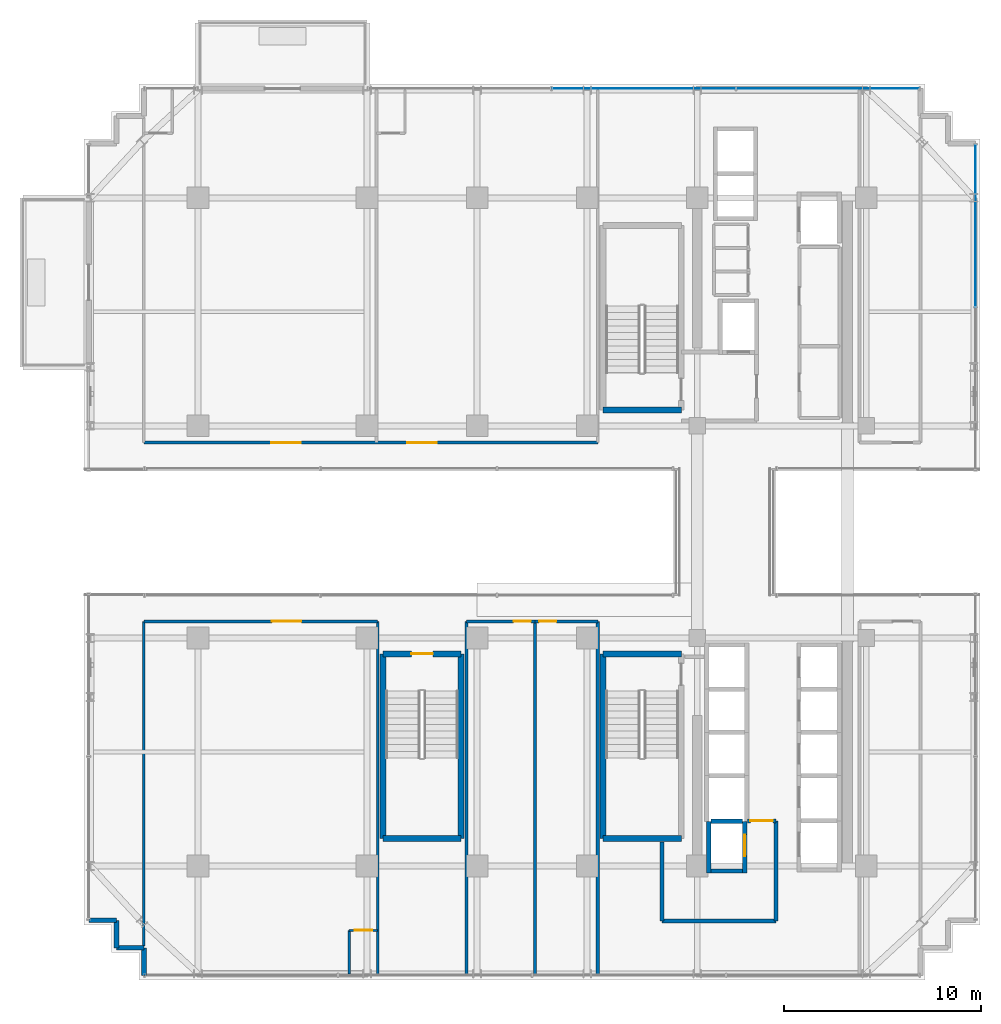
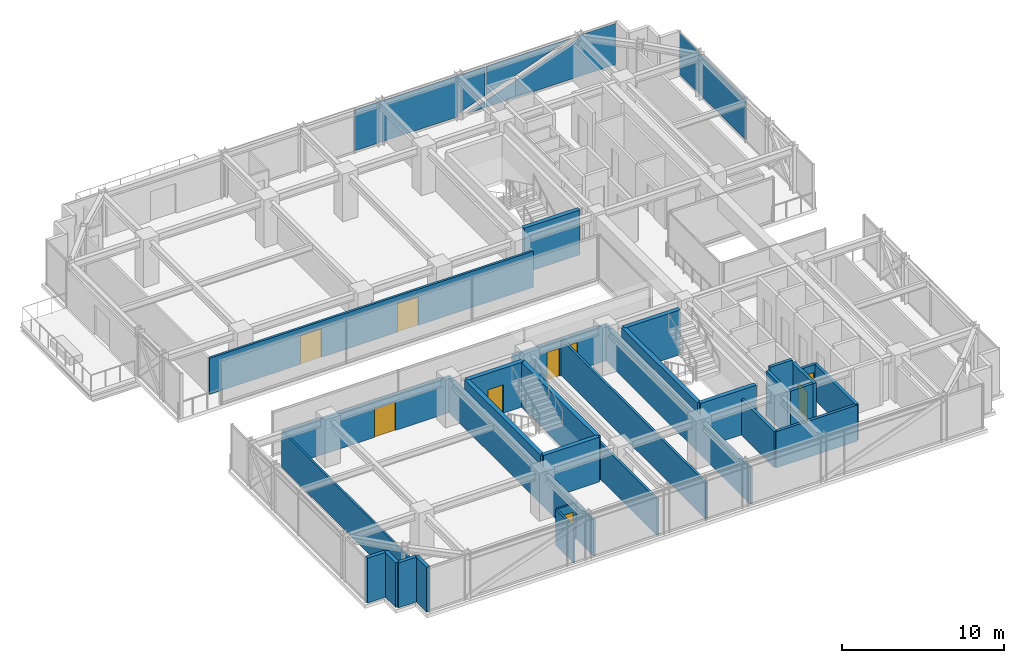
# One storey, part 30 of 37: 31 walls, 9 doors, 3 plates, 9 openings, 2 elements without a shape of their own.
"""IFC4 building model written with IfcOpenShell, lengths in metres."""

from ifc_helpers import new_model, si_unit, direction, frame, frame_2d, origin, origin_2d, place, context, subcontext, project, spatial, polyline, rectangle, outline, extrude, source, transform, mapped, material, layer, layer_set, type_object, element, fill, aggregate, save


model = new_model("IFC4")

# Units and contexts
model_context = context("Model", 3, precision=1e-05, world=origin(), true_north=direction((0.0, 1.0)))
body_context = subcontext(model_context, "Body", "Model", "MODEL_VIEW")
ifc_project = project(units=[si_unit("LENGTHUNIT", "METRE"), si_unit("AREAUNIT", "SQUARE_METRE"), si_unit("VOLUMEUNIT", "CUBIC_METRE"), si_unit("PLANEANGLEUNIT", "RADIAN"), si_unit("MASSUNIT", "GRAM", prefix="KILO")], contexts=[model_context])

# Site, building, storey
site_placement = place(None, origin())
site = spatial("IfcSite", under=ifc_project, at=site_placement, CompositionType="ELEMENT")
building_placement = place(site_placement, origin())
building = spatial("IfcBuilding", under=site, at=building_placement, Name="Nahalor Promenade Grand Hotel", CompositionType="ELEMENT")
storey_placement = place(building_placement, frame((0.0, 0.0, 167.25)))
storey = spatial("IfcBuildingStorey", under=building, at=storey_placement, Name="L42", CompositionType="ELEMENT", Elevation=167.25)

# Curtain wall, plates
ifc_material_1 = material(Name="Anodised Bronze Aluminium EN AW-6063 T6", Category="aluminium")
curtain_wall_type = type_object("IfcCurtainWallType", Name="CW3 Elliptical-Void Collar Unitised Curtain Wall", PredefinedType="USERDEFINED", material=ifc_material_1)
curtain_wall_1_placement = place(storey_placement, origin())
curtain_wall_1 = element("IfcCurtainWall", 1, at=curtain_wall_1_placement, inside=storey, type_object=curtain_wall_type, Name="L42 Curtain Wall CW-L42-N-3", ObjectType="UNITISED_CURTAIN_WALL", PredefinedType="USERDEFINED")
ifc_material_2 = material(Name="Low-E Laminated Solar Glass", Category="glass")
ifc_layer_1 = layer(ifc_material_2, 0.030029296875)
ifc_layer_set_1 = layer_set([ifc_layer_1], Name="Low-E Laminated Solar Glass")
plate_type = type_object("IfcPlateType", Name="CWP3 High-Wind Laminated Bronze IGU 30mm", PredefinedType="CURTAIN_PANEL", material=ifc_layer_set_1)
plate_1_placement = place(storey_placement, frame((5.679931640625, 22.56005859375, 0.14013671875), z_axis=(0.0, 0.0, 1.0), x_axis=(1.0, 0.0, 0.0)))
plate_1 = element("IfcPlate", 2, at=plate_1_placement, type_object=plate_type, Name="CW-L42-N-3 Glazing Panel 1-0", PredefinedType="CURTAIN_PANEL", context=body_context, shape_type="SweptSolid", body=[
    extrude(outline(polyline([(-4.658447265625, 3.110107421875), (-4.658447265625, 0.0), (2.697021484375, 0.0), (2.62890625, 0.189697265625), (4.658447265625, 0.9189453125), (4.658447265625, 3.110107421875), (-4.658447265625, 3.110107421875)])), frame((0.0, 0.01513671875, 0.0), z_axis=(0.0, -1.0, 0.0), x_axis=(1.0, 0.0, 0.0)), (0.0, 0.0, 1.0), 0.030029296875),
    extrude(outline(polyline([(3.28369140625, 0.0), (4.658447265625, 0.0), (4.658447265625, 0.493896484375), (3.28369140625, 0.0)])), frame((0.0, 0.01513671875, 0.0), z_axis=(0.0, -1.0, 0.0), x_axis=(1.0, 0.0, 0.0)), (0.0, 0.0, 1.0), 0.030029296875),
])
plate_2_placement = place(storey_placement, frame((15.049072265625, 22.56005859375, 0.14013671875), z_axis=(0.0, 0.0, 1.0), x_axis=(1.0, 0.0, 0.0)))
plate_2 = element("IfcPlate", 3, at=plate_2_placement, type_object=plate_type, Name="CW-L42-N-3 Glazing Panel 2-0", PredefinedType="CURTAIN_PANEL", context=body_context, shape_type="SweptSolid", body=[
    extrude(outline(polyline([(4.640869140625, 0.0), (4.640869140625, 3.110107421875), (1.973876953125, 3.110107421875), (2.0419921875, 2.920166015625), (-4.640869140625, 0.51904296875), (-4.640869140625, 0.0), (4.640869140625, 0.0)])), frame((0.0, 0.01513671875, 0.0), z_axis=(0.0, -1.0, 0.0), x_axis=(1.0, 0.0, 0.0)), (0.0, 0.0, 1.0), 0.030029296875),
    extrude(outline(polyline([(1.38720703125, 3.110107421875), (-4.640869140625, 3.110107421875), (-4.640869140625, 0.944091796875), (1.38720703125, 3.110107421875)])), frame((0.0, 0.01513671875, 0.0), z_axis=(0.0, -1.0, 0.0), x_axis=(1.0, 0.0, 0.0)), (0.0, 0.0, 1.0), 0.030029296875),
])
aggregate(curtain_wall_1, [plate_1, plate_2])

# Curtain wall, plate
curtain_wall_2_placement = place(storey_placement, origin())
curtain_wall_2 = element("IfcCurtainWall", 4, at=curtain_wall_2_placement, inside=storey, type_object=curtain_wall_type, Name="L42 Curtain Wall CW-L42-E-2", ObjectType="UNITISED_CURTAIN_WALL", PredefinedType="USERDEFINED")
shared_shape_1 = source(origin(), body_context, "Body", "SweptSolid", [
    extrude(rectangle(XDim=8.22509765625, YDim=0.030029296875, at=origin_2d()), origin(), (0.0, 0.0, 1.0), 3.110107421875),
])
plate_3_placement = place(storey_placement, frame((22.56005859375, 15.577392578125, 0.14013671875), z_axis=(0.0, 0.0, 1.0), x_axis=(0.0, 1.0, 0.0)))
plate_3 = element("IfcPlate", 5, at=plate_3_placement, type_object=plate_type, Name="CW-L42-E-2 Glazing Panel 1-0", PredefinedType="CURTAIN_PANEL", context=body_context, shape_type="MappedRepresentation", body=[
    mapped(shared_shape_1, transform((0.0, 0.0, 0.0), scale=1.0)),
])
aggregate(curtain_wall_2, [plate_3])

# Walls
ifc_material_3 = material(Name="Concrete B-50 (C40/50)", Category="concrete")
ifc_layer_2 = layer(ifc_material_3, 0.300048828125)
ifc_layer_set_2 = layer_set([ifc_layer_2], Name="Concrete B-50 (C40/50)")
wall_type_1 = type_object("IfcWallType", Name="Wall-ShaftShear-300", PredefinedType="SHEAR", material=ifc_layer_set_2)
shared_shape_2 = source(origin(), body_context, "Body", "SweptSolid", [
    extrude(rectangle(XDim=3.97998046875, YDim=0.300048828125, at=frame_2d((1.989990234375, 0.0))), origin(), (0.0, 0.0, 1.0), 3.389892578125),
])
for number, where, z_axis, x_axis, name in (
    (6, (3.610107421875, 6.2099609375, 0.0), (0.0, 0.0, 1.0), (1.0, 0.0, 0.0), "L42 Exit Stair ST1 Shaft Wall S"),
    (7, (3.610107421875, -15.590087890625, 0.0), (0.0, 0.0, 1.0), (1.0, 0.0, 0.0), "L42 Exit Stair ST2 Shaft Wall S"),
    (8, (3.610107421875, -6.2099609375, 0.0), (0.0, 0.0, 1.0), (1.0, 0.0, 0.0), "L42 Exit Stair ST2 Shaft Wall N"),
    (9, (-7.590087890625, -15.590087890625, 0.0), (0.0, 0.0, 1.0), (1.0, 0.0, 0.0), "L42 Exit Stair ST3 Shaft Wall S"),
):
    element("IfcWall", number, at=place(storey_placement, frame(where, z_axis=z_axis, x_axis=x_axis)), inside=storey, type_object=wall_type_1, Name=name, PredefinedType="SHEAR", context=body_context, shape_type="MappedRepresentation", body=[
        mapped(shared_shape_2, transform((0.0, 0.0, 0.0), scale=1.0)),
    ])

# Wall, opening, door
wall_1_placement = place(storey_placement, frame((-7.590087890625, -6.2099609375, 0.0), z_axis=(0.0, 0.0, 1.0), x_axis=(1.0, 0.0, 0.0)))
wall_1 = element("IfcWall", 10, at=wall_1_placement, inside=storey, type_object=wall_type_1, Name="L42 Exit Stair ST3 Shaft Wall N", PredefinedType="SHEAR", context=body_context, shape_type="MappedRepresentation", body=[
    mapped(shared_shape_2, transform((0.0, 0.0, 0.0), scale=1.0)),
])
opening_1_placement = place(wall_1_placement, frame((1.43994140625, 0.0, 0.0)))
opening_1 = element("IfcOpeningElement", 11, at=opening_1_placement, cuts=wall_1, Name="Opening D-ST1", PredefinedType="OPENING", context=body_context, shape_type="SweptSolid", body=[
    extrude(rectangle(XDim=1.10009765625, YDim=2.14990234375, at=frame_2d((0.550048828125, 1.074951171875))), frame((0.0, 0.159912109375, 0.0), z_axis=(0.0, -1.0, 0.0), x_axis=(1.0, 0.0, 0.0)), (0.0, 0.0, 1.0), 0.320068359375),
])
ifc_material_4 = material(Name="Steel S355JR", Category="steel")
door_type_1 = type_object("IfcDoorType", Name="Door-StairFire-1100", OperationType="NOTDEFINED", PredefinedType="DOOR", material=ifc_material_4)
shared_shape_3 = source(origin(), body_context, "Body", "SweptSolid", [
    extrude(rectangle(XDim=1.10009765625, YDim=2.14990234375, at=frame_2d((0.550048828125, 1.074951171875))), frame((0.0, 0.02490234375, 0.0), z_axis=(0.0, -1.0, 0.0), x_axis=(1.0, 0.0, 0.0)), (0.0, 0.0, 1.0), 0.050048828125),
])
door_1_placement = place(opening_1_placement, frame((1.10009765625, 0.0, 0.0), z_axis=(0.0, 0.0, 1.0), x_axis=(-1.0, 0.0, 0.0)))
door_1 = element("IfcDoor", 12, at=door_1_placement, inside=storey, type_object=door_type_1, Name="DR-STAIR-ST3-L42", OperationType="SINGLE_SWING_LEFT", OverallHeight=2.14990234375, OverallWidth=1.10009765625, PredefinedType="DOOR", context=body_context, shape_type="MappedRepresentation", body=[
    mapped(shared_shape_3, transform((0.0, 0.0, 0.0), scale=1.0)),
])
fill(opening_1, door_1)

# Walls
shared_shape_4 = source(origin(), body_context, "Body", "SweptSolid", [
    extrude(rectangle(XDim=9.380126953125, YDim=0.300048828125, at=frame_2d((4.68994140625, 0.0))), origin(), (0.0, 0.0, 1.0), 3.389892578125),
])
for number, where, z_axis, x_axis, name in (
    (13, (3.610107421875, -15.590087890625, 0.0), (0.0, 0.0, 1.0), (0.0, 1.0, 0.0), "L42 Exit Stair ST2 Shaft Wall W"),
    (14, (-7.590087890625, -15.590087890625, 0.0), (0.0, 0.0, 1.0), (0.0, 1.0, 0.0), "L42 Exit Stair ST3 Shaft Wall W"),
    (15, (-3.610107421875, -15.590087890625, 0.0), (0.0, 0.0, 1.0), (0.0, 1.0, 0.0), "L42 Exit Stair ST3 Shaft Wall E"),
):
    element("IfcWall", number, at=place(storey_placement, frame(where, z_axis=z_axis, x_axis=x_axis)), inside=storey, type_object=wall_type_1, Name=name, PredefinedType="SHEAR", context=body_context, shape_type="MappedRepresentation", body=[
        mapped(shared_shape_4, transform((0.0, 0.0, 0.0), scale=1.0)),
    ])
ifc_layer_3 = layer(ifc_material_3, 0.219970703125)
ifc_layer_set_3 = layer_set([ifc_layer_3], Name="Concrete B-50 (C40/50)")
wall_type_2 = type_object("IfcWallType", Name="Wall-LiftShaft-220", PredefinedType="SHEAR", material=ifc_layer_set_3)
shared_shape_5 = source(origin(), body_context, "Body", "SweptSolid", [
    extrude(rectangle(XDim=1.619873046875, YDim=0.219970703125, at=frame_2d((0.81005859375, 0.0))), origin(), (0.0, 0.0, 1.0), 3.64990234375),
])
wall_2_placement = place(storey_placement, frame((9.090087890625, -14.72509765625, 0.0), z_axis=(0.0, 0.0, 1.0), x_axis=(1.0, 0.0, 0.0)))
element("IfcWall", 16, at=wall_2_placement, inside=storey, type_object=wall_type_2, Name="L42 Lift FL2 Hoistway Wall N", PredefinedType="SHEAR", context=body_context, shape_type="MappedRepresentation", body=[
    mapped(shared_shape_5, transform((0.0, 0.0, 0.0), scale=1.0)),
])
shared_shape_6 = source(origin(), body_context, "Body", "SweptSolid", [
    extrude(rectangle(XDim=2.635009765625, YDim=0.219970703125, at=frame_2d((1.3173828125, 0.0))), origin(), (0.0, 0.0, 1.0), 3.389892578125),
])
wall_3_placement = place(storey_placement, frame((8.97998046875, -17.360107421875, 0.0), z_axis=(0.0, 0.0, 1.0), x_axis=(0.0, 1.0, 0.0)))
element("IfcWall", 17, at=wall_3_placement, inside=storey, type_object=wall_type_2, Name="L42 Lift FL2 Hoistway Wall W", PredefinedType="SHEAR", context=body_context, shape_type="MappedRepresentation", body=[
    mapped(shared_shape_6, transform((0.0, 0.0, 0.0), scale=1.0)),
])

# Wall, opening, door
wall_4_placement = place(storey_placement, frame((10.820068359375, -17.360107421875, 0.0), z_axis=(0.0, 0.0, 1.0), x_axis=(0.0, 1.0, 0.0)))
wall_4 = element("IfcWall", 18, at=wall_4_placement, inside=storey, type_object=wall_type_2, Name="L42 Lift FL2 Hoistway Wall E", PredefinedType="SHEAR", context=body_context, shape_type="MappedRepresentation", body=[
    mapped(shared_shape_6, transform((0.0, 0.0, 0.0), scale=1.0)),
])
opening_2_placement = place(wall_4_placement, frame((0.860107421875, 0.0, 0.0)))
opening_2 = element("IfcOpeningElement", 19, at=opening_2_placement, cuts=wall_4, Name="Opening LD-02", PredefinedType="OPENING", context=body_context, shape_type="SweptSolid", body=[
    extrude(rectangle(XDim=1.10009765625, YDim=2.199951171875, at=frame_2d((0.550048828125, 1.10009765625))), frame((0.0, 0.119873046875, 0.0), z_axis=(0.0, -1.0, 0.0), x_axis=(1.0, 0.0, 0.0)), (0.0, 0.0, 1.0), 0.239990234375),
])
door_type_2 = type_object("IfcDoorType", Name="Door-LiftFF-1100", OperationType="DOUBLE_DOOR_SLIDING", PredefinedType="DOOR", material=ifc_material_4)
shared_shape_7 = source(origin(), body_context, "Body", "SweptSolid", [
    extrude(rectangle(XDim=1.10009765625, YDim=2.199951171875, at=frame_2d((0.550048828125, 1.10009765625))), frame((0.0, 0.02490234375, 0.0), z_axis=(0.0, -1.0, 0.0), x_axis=(1.0, 0.0, 0.0)), (0.0, 0.0, 1.0), 0.050048828125),
])
door_2_placement = place(opening_2_placement, frame((1.10009765625, 0.0, 0.0), z_axis=(0.0, 0.0, 1.0), x_axis=(-1.0, 0.0, 0.0)))
door_2 = element("IfcDoor", 20, at=door_2_placement, inside=storey, type_object=door_type_2, Name="DR-LIFT-FL2-L42", OperationType="DOUBLE_DOOR_SLIDING", OverallHeight=2.199951171875, OverallWidth=1.10009765625, PredefinedType="DOOR", context=body_context, shape_type="MappedRepresentation", body=[
    mapped(shared_shape_7, transform((0.0, 0.0, 0.0), scale=1.0)),
])
fill(opening_2, door_2)

# Walls
shared_shape_8 = source(origin(), body_context, "Body", "SweptSolid", [
    extrude(rectangle(XDim=1.619873046875, YDim=0.219970703125, at=frame_2d((0.81005859375, 0.0))), origin(), (0.0, 0.0, 1.0), 3.389892578125),
])
wall_5_placement = place(storey_placement, frame((9.090087890625, -17.25, 0.0), z_axis=(0.0, 0.0, 1.0), x_axis=(1.0, 0.0, 0.0)))
element("IfcWall", 21, at=wall_5_placement, inside=storey, type_object=wall_type_2, Name="L42 Lift FL2 Hoistway Wall S", PredefinedType="SHEAR", context=body_context, shape_type="MappedRepresentation", body=[
    mapped(shared_shape_8, transform((0.0, 0.0, 0.0), scale=1.0)),
])
ifc_material_5 = material(Name="Concrete B-40 (C32/40)", Category="concrete")
ifc_layer_4 = layer(ifc_material_5, 0.25)
ifc_layer_set_4 = layer_set([ifc_layer_4], Name="Concrete B-40 (C32/40)")
wall_type_3 = type_object("IfcWallType", Name="Wall-BronzePier-250", PredefinedType="STANDARD", material=ifc_layer_set_4)
shared_shape_9 = source(origin(), body_context, "Body", "SweptSolid", [
    extrude(rectangle(XDim=1.400146484375, YDim=0.25, at=frame_2d((0.7001953125, 0.0))), origin(), (0.0, 0.0, 1.0), 3.389892578125),
])
for number, where, z_axis, x_axis, name in (
    (22, (-22.56005859375, -19.760009765625, 0.0), (0.0, 0.0, 1.0), (1.0, 0.0, 0.0), "W-L42-SR-13"),
    (23, (-19.760009765625, -22.56005859375, 0.0), (0.0, 0.0, 1.0), (0.0, 1.0, 0.0), "W-L42-SR-16"),
):
    element("IfcWall", number, at=place(storey_placement, frame(where, z_axis=z_axis, x_axis=x_axis)), inside=storey, type_object=wall_type_3, Name=name, PredefinedType="STANDARD", context=body_context, shape_type="MappedRepresentation", body=[
        mapped(shared_shape_9, transform((0.0, 0.0, 0.0), scale=1.0)),
    ])
shared_shape_10 = source(origin(), body_context, "Body", "SweptSolid", [
    extrude(rectangle(XDim=1.39990234375, YDim=0.25, at=frame_2d((0.699951171875, 0.0))), origin(), (0.0, 0.0, 1.0), 3.389892578125),
])
for number, where, z_axis, x_axis, name in (
    (24, (-21.159912109375, -21.159912109375, 0.0), (0.0, 0.0, 1.0), (0.0, 1.0, 0.0), "W-L42-SR-14"),
    (25, (-21.159912109375, -21.159912109375, 0.0), (0.0, 0.0, 1.0), (1.0, 0.0, 0.0), "W-L42-SR-15"),
):
    element("IfcWall", number, at=place(storey_placement, frame(where, z_axis=z_axis, x_axis=x_axis)), inside=storey, type_object=wall_type_3, Name=name, PredefinedType="STANDARD", context=body_context, shape_type="MappedRepresentation", body=[
        mapped(shared_shape_10, transform((0.0, 0.0, 0.0), scale=1.0)),
    ])
ifc_layer_5 = layer(ifc_material_5, 0.199951171875)
ifc_layer_set_5 = layer_set([ifc_layer_5], Name="Concrete B-40 (C32/40)")
wall_type_4 = type_object("IfcWallType", Name="Wall-PartFire-200", PredefinedType="PARTITIONING", material=ifc_layer_set_5)
shared_shape_11 = source(origin(), body_context, "Body", "SweptSolid", [
    extrude(rectangle(XDim=5.81982421875, YDim=0.199951171875, at=frame_2d((2.909912109375, 0.0))), origin(), (0.0, 0.0, 1.0), 2.72998046875),
])
wall_6_placement = place(storey_placement, frame((6.60009765625, -19.800048828125, 0.0), z_axis=(0.0, 0.0, 1.0), x_axis=(1.0, 0.0, 0.0)))
element("IfcWall", 26, at=wall_6_placement, inside=storey, type_object=wall_type_4, Name="W-L42-FF2-S1", PredefinedType="PARTITIONING", context=body_context, shape_type="MappedRepresentation", body=[
    mapped(shared_shape_11, transform((0.0, 0.0, 0.0), scale=1.0)),
])
shared_shape_12 = source(origin(), body_context, "Body", "SweptSolid", [
    extrude(rectangle(XDim=4.030029296875, YDim=0.199951171875, at=frame_2d((2.01513671875, 0.0))), origin(), (0.0, 0.0, 1.0), 2.72998046875),
])
wall_7_placement = place(storey_placement, frame((6.60009765625, -19.800048828125, 0.0), z_axis=(0.0, 0.0, 1.0), x_axis=(0.0, 1.0, 0.0)))
element("IfcWall", 27, at=wall_7_placement, inside=storey, type_object=wall_type_4, Name="W-L42-FF2-W1", PredefinedType="PARTITIONING", context=body_context, shape_type="MappedRepresentation", body=[
    mapped(shared_shape_12, transform((0.0, 0.0, 0.0), scale=1.0)),
])
shared_shape_13 = source(origin(), body_context, "Body", "SweptSolid", [
    extrude(rectangle(XDim=5.10009765625, YDim=0.199951171875, at=frame_2d((2.550048828125, 0.0))), origin(), (0.0, 0.0, 1.0), 2.72998046875),
])
wall_8_placement = place(storey_placement, frame((12.419921875, -19.800048828125, 0.0), z_axis=(0.0, 0.0, 1.0), x_axis=(0.0, 1.0, 0.0)))
element("IfcWall", 28, at=wall_8_placement, inside=storey, type_object=wall_type_4, Name="W-L42-FF2-E", PredefinedType="PARTITIONING", context=body_context, shape_type="MappedRepresentation", body=[
    mapped(shared_shape_13, transform((0.0, 0.0, 0.0), scale=1.0)),
])

# Wall, opening, door
shared_shape_14 = source(origin(), body_context, "Body", "SweptSolid", [
    extrude(rectangle(XDim=1.4599609375, YDim=0.199951171875, at=frame_2d((0.72998046875, 0.0))), origin(), (0.0, 0.0, 1.0), 2.72998046875),
])
wall_9_placement = place(storey_placement, frame((10.9599609375, -14.699951171875, 0.0), z_axis=(0.0, 0.0, 1.0), x_axis=(1.0, 0.0, 0.0)))
wall_9 = element("IfcWall", 29, at=wall_9_placement, inside=storey, type_object=wall_type_4, Name="W-L42-FF2-N1", PredefinedType="PARTITIONING", context=body_context, shape_type="MappedRepresentation", body=[
    mapped(shared_shape_14, transform((0.0, 0.0, 0.0), scale=1.0)),
])
opening_3_placement = place(wall_9_placement, frame((0.14501953125, 0.0, 0.0)))
opening_3 = element("IfcOpeningElement", 30, at=opening_3_placement, cuts=wall_9, Name="Opening D-FF1", PredefinedType="OPENING", context=body_context, shape_type="SweptSolid", body=[
    extrude(rectangle(XDim=1.14990234375, YDim=2.14990234375, at=frame_2d((0.574951171875, 1.074951171875))), frame((0.0, 0.10986328125, 0.0), z_axis=(0.0, -1.0, 0.0), x_axis=(1.0, 0.0, 0.0)), (0.0, 0.0, 1.0), 0.219970703125),
])
door_type_3 = type_object("IfcDoorType", Name="Door-FFLobby-1150", OperationType="NOTDEFINED", PredefinedType="DOOR", material=ifc_material_4)
shared_shape_15 = source(origin(), body_context, "Body", "SweptSolid", [
    extrude(rectangle(XDim=1.14990234375, YDim=2.14990234375, at=frame_2d((0.574951171875, 1.074951171875))), frame((0.0, 0.02490234375, 0.0), z_axis=(0.0, -1.0, 0.0), x_axis=(1.0, 0.0, 0.0)), (0.0, 0.0, 1.0), 0.050048828125),
])
door_3_placement = place(opening_3_placement, origin())
door_3 = element("IfcDoor", 31, at=door_3_placement, inside=storey, type_object=door_type_3, Name="DR-L42-FFL2", OperationType="SINGLE_SWING_LEFT", OverallHeight=2.14990234375, OverallWidth=1.14990234375, PredefinedType="DOOR", context=body_context, shape_type="MappedRepresentation", body=[
    mapped(shared_shape_15, transform((0.0, 0.0, 0.0), scale=1.0)),
])
fill(opening_3, door_3)

# Walls
ifc_material_6 = material(Name="Acoustic Mineral Gypsum", Category="gypsum")
ifc_layer_6 = layer(ifc_material_6, 0.159912109375)
ifc_layer_set_6 = layer_set([ifc_layer_6], Name="Acoustic Mineral Gypsum")
wall_type_5 = type_object("IfcWallType", Name="Wall-PartCorridor-160", PredefinedType="PARTITIONING", material=ifc_layer_set_6)
shared_shape_16 = source(origin(), body_context, "Body", "SweptSolid", [
    extrude(rectangle(XDim=17.949951171875, YDim=0.159912109375, at=frame_2d((8.97509765625, 0.0))), origin(), (0.0, 0.0, 1.0), 2.72998046875),
])
for number, where, z_axis, x_axis, name in (
    (32, (-3.340087890625, -22.5, 0.0), (0.0, 0.0, 1.0), (0.0, 1.0, 0.0), "W-L42-SCB1-W"),
    (33, (0.14990234375, -22.5, 0.0), (0.0, 0.0, 1.0), (0.0, 1.0, 0.0), "W-L42-SCB1-E"),
    (34, (3.340087890625, -22.5, 0.0), (0.0, 0.0, 1.0), (0.0, 1.0, 0.0), "W-L42-SCB2-E"),
):
    element("IfcWall", number, at=place(storey_placement, frame(where, z_axis=z_axis, x_axis=x_axis)), inside=storey, type_object=wall_type_5, Name=name, PredefinedType="PARTITIONING", context=body_context, shape_type="MappedRepresentation", body=[
        mapped(shared_shape_16, transform((0.0, 0.0, 0.0), scale=1.0)),
    ])

# Wall, opening, door
ifc_layer_7 = layer(ifc_material_6, 0.1201171875)
ifc_layer_set_7 = layer_set([ifc_layer_7], Name="Acoustic Mineral Gypsum")
wall_type_6 = type_object("IfcWallType", Name="Wall-PartBath-120", PredefinedType="PARTITIONING", material=ifc_layer_set_7)
shared_shape_17 = source(origin(), body_context, "Body", "SweptSolid", [
    extrude(rectangle(XDim=1.449951171875, YDim=0.1201171875, at=frame_2d((0.72509765625, 0.0))), origin(), (0.0, 0.0, 1.0), 2.72998046875),
])
wall_10_placement = place(storey_placement, frame((-9.31005859375, -20.280029296875, 0.0), z_axis=(0.0, 0.0, 1.0), x_axis=(1.0, 0.0, 0.0)))
wall_10 = element("IfcWall", 35, at=wall_10_placement, inside=storey, type_object=wall_type_6, Name="W-L42-S1-BH", PredefinedType="PARTITIONING", context=body_context, shape_type="MappedRepresentation", body=[
    mapped(shared_shape_17, transform((0.0, 0.0, 0.0), scale=1.0)),
])
opening_4_placement = place(wall_10_placement, frame((0.284912109375, 0.0, 0.0)))
opening_4 = element("IfcOpeningElement", 36, at=opening_4_placement, cuts=wall_10, Name="Opening D-03", PredefinedType="OPENING", context=body_context, shape_type="SweptSolid", body=[
    extrude(rectangle(XDim=0.8798828125, YDim=2.10009765625, at=frame_2d((0.43994140625, 1.050048828125))), frame((0.0, 0.070068359375, 0.0), z_axis=(0.0, -1.0, 0.0), x_axis=(1.0, 0.0, 0.0)), (0.0, 0.0, 1.0), 0.14013671875),
])
ifc_material_7 = material(Name="Fire-Rated Timber Composite", Category="wood")
door_type_4 = type_object("IfcDoorType", Name="Door-BathSwing-880", OperationType="NOTDEFINED", PredefinedType="DOOR", material=ifc_material_7)
shared_shape_18 = source(origin(), body_context, "Body", "SweptSolid", [
    extrude(rectangle(XDim=0.8798828125, YDim=2.10009765625, at=frame_2d((0.43994140625, 1.050048828125))), frame((0.0, 0.02490234375, 0.0), z_axis=(0.0, -1.0, 0.0), x_axis=(1.0, 0.0, 0.0)), (0.0, 0.0, 1.0), 0.050048828125),
])
door_4_placement = place(opening_4_placement, frame((0.8798828125, 0.0, 0.0), z_axis=(0.0, 0.0, 1.0), x_axis=(-1.0, 0.0, 0.0)))
door_4 = element("IfcDoor", 37, at=door_4_placement, inside=storey, type_object=door_type_4, Name="DR-L42-S1-BATH", OperationType="SINGLE_SWING_LEFT", OverallHeight=2.10009765625, OverallWidth=0.8798828125, PredefinedType="DOOR", context=body_context, shape_type="MappedRepresentation", body=[
    mapped(shared_shape_18, transform((0.0, 0.0, 0.0), scale=1.0)),
])
fill(opening_4, door_4)

# Walls
shared_shape_19 = source(origin(), body_context, "Body", "SweptSolid", [
    extrude(rectangle(XDim=2.219970703125, YDim=0.1201171875, at=frame_2d((1.10986328125, 0.0))), origin(), (0.0, 0.0, 1.0), 2.72998046875),
])
wall_11_placement = place(storey_placement, frame((-9.31005859375, -22.5, 0.0), z_axis=(0.0, 0.0, 1.0), x_axis=(0.0, 1.0, 0.0)))
element("IfcWall", 38, at=wall_11_placement, inside=storey, type_object=wall_type_6, Name="W-L42-S1-BV", PredefinedType="PARTITIONING", context=body_context, shape_type="MappedRepresentation", body=[
    mapped(shared_shape_19, transform((0.0, 0.0, 0.0), scale=1.0)),
])
ifc_layer_8 = layer(ifc_material_6, 0.139892578125)
ifc_layer_set_8 = layer_set([ifc_layer_8], Name="Acoustic Mineral Gypsum")
wall_type_7 = type_object("IfcWallType", Name="Wall-PartSuite-140", PredefinedType="PARTITIONING", material=ifc_layer_set_8)
shared_shape_20 = source(origin(), body_context, "Body", "SweptSolid", [
    extrude(rectangle(XDim=17.949951171875, YDim=0.139892578125, at=frame_2d((8.97509765625, 0.0))), origin(), (0.0, 0.0, 1.0), 2.72998046875),
])
wall_12_placement = place(storey_placement, frame((-7.860107421875, -22.5, 0.0), z_axis=(0.0, 0.0, 1.0), x_axis=(0.0, 1.0, 0.0)))
element("IfcWall", 39, at=wall_12_placement, inside=storey, type_object=wall_type_7, Name="W-L42-SW-ENDE", PredefinedType="PARTITIONING", context=body_context, shape_type="MappedRepresentation", body=[
    mapped(shared_shape_20, transform((0.0, 0.0, 0.0), scale=1.0)),
])

# Wall, openings, doors
shared_shape_21 = source(origin(), body_context, "Body", "SweptSolid", [
    extrude(rectangle(XDim=23.10009765625, YDim=0.159912109375, at=frame_2d((11.550048828125, 0.0))), origin(), (0.0, 0.0, 1.0), 2.72998046875),
])
wall_13_placement = place(storey_placement, frame((-19.760009765625, 4.550048828125, 0.0), z_axis=(0.0, 0.0, 1.0), x_axis=(1.0, 0.0, 0.0)))
wall_13 = element("IfcWall", 40, at=wall_13_placement, inside=storey, type_object=wall_type_5, Name="W-L42-CORR-N", PredefinedType="PARTITIONING", context=body_context, shape_type="MappedRepresentation", body=[
    mapped(shared_shape_21, transform((0.0, 0.0, 0.0), scale=1.0)),
])
opening_5_placement = place(wall_13_placement, frame((6.48388671875, 0.0, 0.0)))
opening_5 = element("IfcOpeningElement", 41, at=opening_5_placement, cuts=wall_13, Name="Opening D-02", PredefinedType="OPENING", context=body_context, shape_type="SweptSolid", body=[
    extrude(rectangle(XDim=1.5, YDim=2.14990234375, at=frame_2d((0.75, 1.074951171875))), frame((0.0, 0.08984375, 0.0), z_axis=(0.0, -1.0, 0.0), x_axis=(1.0, 0.0, 0.0)), (0.0, 0.0, 1.0), 0.179931640625),
])
opening_6_placement = place(wall_13_placement, frame((13.4140625, 0.0, 0.0)))
opening_6 = element("IfcOpeningElement", 42, at=opening_6_placement, cuts=wall_13, Name="Opening D-02", PredefinedType="OPENING", context=body_context, shape_type="SweptSolid", body=[
    extrude(rectangle(XDim=1.5, YDim=2.14990234375, at=frame_2d((0.75, 1.074951171875))), frame((0.0, 0.08984375, 0.0), z_axis=(0.0, -1.0, 0.0), x_axis=(1.0, 0.0, 0.0)), (0.0, 0.0, 1.0), 0.179931640625),
])
door_type_5 = type_object("IfcDoorType", Name="Door-SuiteDouble-1500", OperationType="DOUBLE_DOOR_SINGLE_SWING", PredefinedType="DOOR", material=ifc_material_7)
shared_shape_22 = source(origin(), body_context, "Body", "SweptSolid", [
    extrude(rectangle(XDim=1.5, YDim=2.14990234375, at=frame_2d((0.75, 1.074951171875))), frame((0.0, 0.02490234375, 0.0), z_axis=(0.0, -1.0, 0.0), x_axis=(1.0, 0.0, 0.0)), (0.0, 0.0, 1.0), 0.050048828125),
])
door_5_placement = place(opening_5_placement, origin())
door_5 = element("IfcDoor", 43, at=door_5_placement, inside=storey, type_object=door_type_5, Name="DR-L42-N1-ENT", OperationType="DOUBLE_DOOR_SINGLE_SWING", OverallHeight=2.14990234375, OverallWidth=1.5, PredefinedType="DOOR", context=body_context, shape_type="MappedRepresentation", body=[
    mapped(shared_shape_22, transform((0.0, 0.0, 0.0), scale=1.0)),
])
fill(opening_5, door_5)
door_6_placement = place(opening_6_placement, origin())
door_6 = element("IfcDoor", 44, at=door_6_placement, inside=storey, type_object=door_type_5, Name="DR-L42-N2-ENT", OperationType="DOUBLE_DOOR_SINGLE_SWING", OverallHeight=2.14990234375, OverallWidth=1.5, PredefinedType="DOOR", context=body_context, shape_type="MappedRepresentation", body=[
    mapped(shared_shape_22, transform((0.0, 0.0, 0.0), scale=1.0)),
])
fill(opening_6, door_6)

# Wall
shared_shape_23 = source(origin(), body_context, "Body", "SweptSolid", [
    extrude(rectangle(XDim=16.530029296875, YDim=0.139892578125, at=frame_2d((8.26513671875, 0.0))), origin(), (0.0, 0.0, 1.0), 2.72998046875),
])
wall_14_placement = place(storey_placement, frame((-19.760009765625, -21.080078125, 0.0), z_axis=(0.0, 0.0, 1.0), x_axis=(0.0, 1.0, 0.0)))
element("IfcWall", 45, at=wall_14_placement, inside=storey, type_object=wall_type_7, Name="W-L42-SW-ENDW", PredefinedType="PARTITIONING", context=body_context, shape_type="MappedRepresentation", body=[
    mapped(shared_shape_23, transform((0.0, 0.0, 0.0), scale=1.0)),
])

# Wall, opening, door
shared_shape_24 = source(origin(), body_context, "Body", "SweptSolid", [
    extrude(rectangle(XDim=11.89990234375, YDim=0.159912109375, at=frame_2d((5.949951171875, 0.0))), origin(), (0.0, 0.0, 1.0), 2.72998046875),
])
wall_15_placement = place(storey_placement, frame((-19.760009765625, -4.550048828125, 0.0), z_axis=(0.0, 0.0, 1.0), x_axis=(1.0, 0.0, 0.0)))
wall_15 = element("IfcWall", 46, at=wall_15_placement, inside=storey, type_object=wall_type_5, Name="W-L42-CORR-S", PredefinedType="PARTITIONING", context=body_context, shape_type="MappedRepresentation", body=[
    mapped(shared_shape_24, transform((0.0, 0.0, 0.0), scale=1.0)),
])
opening_7_placement = place(wall_15_placement, frame((6.52294921875, 0.0, 0.0)))
opening_7 = element("IfcOpeningElement", 47, at=opening_7_placement, cuts=wall_15, Name="Opening D-02", PredefinedType="OPENING", context=body_context, shape_type="SweptSolid", body=[
    extrude(rectangle(XDim=1.5, YDim=2.14990234375, at=frame_2d((0.75, 1.074951171875))), frame((0.0, 0.08984375, 0.0), z_axis=(0.0, -1.0, 0.0), x_axis=(1.0, 0.0, 0.0)), (0.0, 0.0, 1.0), 0.179931640625),
])
door_7_placement = place(opening_7_placement, frame((1.5, 0.0, 0.0), z_axis=(0.0, 0.0, 1.0), x_axis=(-1.0, 0.0, 0.0)))
door_7 = element("IfcDoor", 48, at=door_7_placement, inside=storey, type_object=door_type_5, Name="DR-L42-S1-ENT", OperationType="DOUBLE_DOOR_SINGLE_SWING", OverallHeight=2.14990234375, OverallWidth=1.5, PredefinedType="DOOR", context=body_context, shape_type="MappedRepresentation", body=[
    mapped(shared_shape_22, transform((0.0, 0.0, 0.0), scale=1.0)),
])
fill(opening_7, door_7)

shared_shape_25 = source(origin(), body_context, "Body", "SweptSolid", [
    extrude(rectangle(XDim=3.489990234375, YDim=0.159912109375, at=frame_2d((1.7451171875, 0.0))), origin(), (0.0, 0.0, 1.0), 2.72998046875),
])
wall_16_placement = place(storey_placement, frame((-3.340087890625, -4.550048828125, 0.0), z_axis=(0.0, 0.0, 1.0), x_axis=(1.0, 0.0, 0.0)))
wall_16 = element("IfcWall", 49, at=wall_16_placement, inside=storey, type_object=wall_type_5, Name="W-L42-SCB1-N", PredefinedType="PARTITIONING", context=body_context, shape_type="MappedRepresentation", body=[
    mapped(shared_shape_25, transform((0.0, 0.0, 0.0), scale=1.0)),
])
opening_8_placement = place(wall_16_placement, frame((2.39990234375, 0.0, 0.0)))
opening_8 = element("IfcOpeningElement", 50, at=opening_8_placement, cuts=wall_16, Name="Opening D-03", PredefinedType="OPENING", context=body_context, shape_type="SweptSolid", body=[
    extrude(rectangle(XDim=0.8798828125, YDim=2.10009765625, at=frame_2d((0.43994140625, 1.050048828125))), frame((0.0, 0.08984375, 0.0), z_axis=(0.0, -1.0, 0.0), x_axis=(1.0, 0.0, 0.0)), (0.0, 0.0, 1.0), 0.179931640625),
])
door_8_placement = place(opening_8_placement, frame((0.8798828125, 0.0, 0.0), z_axis=(0.0, 0.0, 1.0), x_axis=(-1.0, 0.0, 0.0)))
door_8 = element("IfcDoor", 51, at=door_8_placement, inside=storey, type_object=door_type_4, Name="DR-L42-SCB1", OperationType="SINGLE_SWING_RIGHT", OverallHeight=2.10009765625, OverallWidth=0.8798828125, PredefinedType="DOOR", context=body_context, shape_type="MappedRepresentation", body=[
    mapped(shared_shape_18, transform((0.0, 0.0, 0.0), scale=1.0)),
])
fill(opening_8, door_8)

shared_shape_26 = source(origin(), body_context, "Body", "SweptSolid", [
    extrude(rectangle(XDim=3.190185546875, YDim=0.159912109375, at=frame_2d((1.59521484375, 0.0))), origin(), (0.0, 0.0, 1.0), 2.72998046875),
])
wall_17_placement = place(storey_placement, frame((0.14990234375, -4.550048828125, 0.0), z_axis=(0.0, 0.0, 1.0), x_axis=(1.0, 0.0, 0.0)))
wall_17 = element("IfcWall", 52, at=wall_17_placement, inside=storey, type_object=wall_type_5, Name="W-L42-SCB2-N", PredefinedType="PARTITIONING", context=body_context, shape_type="MappedRepresentation", body=[
    mapped(shared_shape_26, transform((0.0, 0.0, 0.0), scale=1.0)),
])
opening_9_placement = place(wall_17_placement, frame((0.2099609375, 0.0, 0.0)))
opening_9 = element("IfcOpeningElement", 53, at=opening_9_placement, cuts=wall_17, Name="Opening D-03", PredefinedType="OPENING", context=body_context, shape_type="SweptSolid", body=[
    extrude(rectangle(XDim=0.8798828125, YDim=2.10009765625, at=frame_2d((0.43994140625, 1.050048828125))), frame((0.0, 0.08984375, 0.0), z_axis=(0.0, -1.0, 0.0), x_axis=(1.0, 0.0, 0.0)), (0.0, 0.0, 1.0), 0.179931640625),
])
door_9_placement = place(opening_9_placement, frame((0.8798828125, 0.0, 0.0), z_axis=(0.0, 0.0, 1.0), x_axis=(-1.0, 0.0, 0.0)))
door_9 = element("IfcDoor", 54, at=door_9_placement, inside=storey, type_object=door_type_4, Name="DR-L42-SCB2", OperationType="SINGLE_SWING_LEFT", OverallHeight=2.10009765625, OverallWidth=0.8798828125, PredefinedType="DOOR", context=body_context, shape_type="MappedRepresentation", body=[
    mapped(shared_shape_18, transform((0.0, 0.0, 0.0), scale=1.0)),
])
fill(opening_9, door_9)

save(model, "model.ifc")
